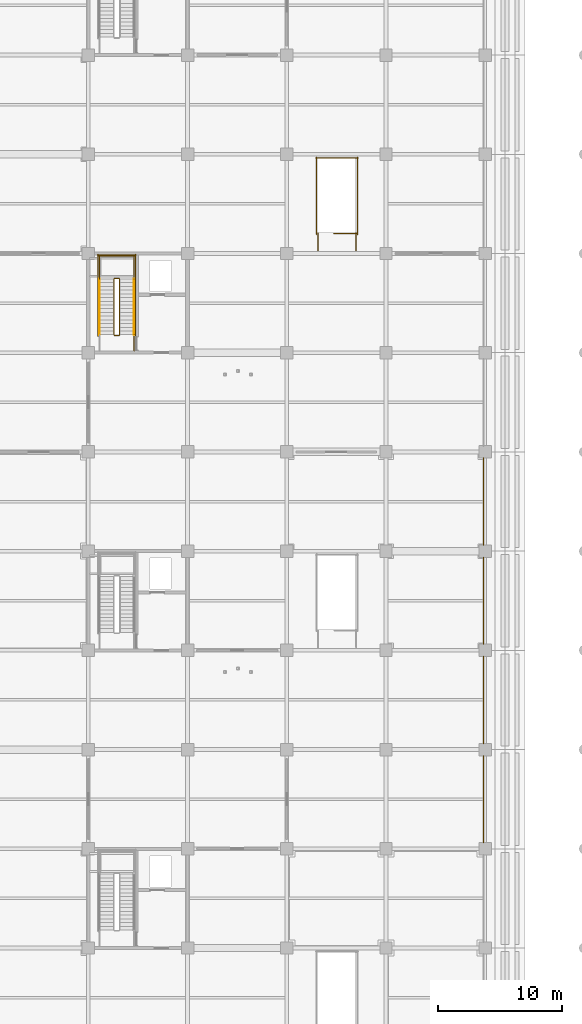
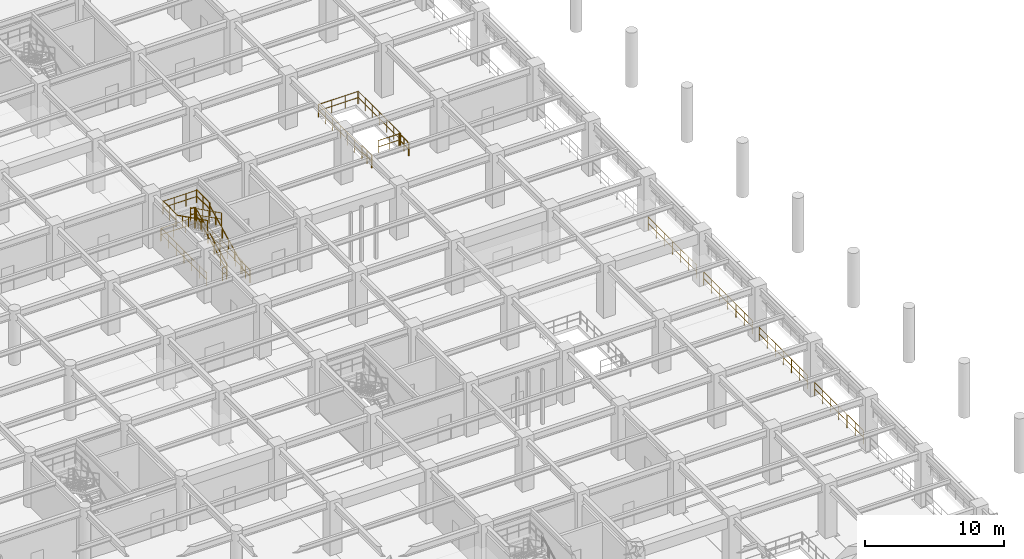
# One storey, part 104 of 117: 23 railings.
"""IFC4 building model written with IfcOpenShell, lengths in metres."""

from ifc_helpers import new_model, si_unit, direction, frame, origin, origin_2d, place, context, subcontext, project, spatial, circle, extrude, material, type_object, element, save


model = new_model("IFC4")

# Units and contexts
model_context = context("Model", 3, precision=1e-05, world=origin(), true_north=direction((0.0, 1.0)))
body_context = subcontext(model_context, "Body", "Model", "MODEL_VIEW")
ifc_project = project(units=[si_unit("LENGTHUNIT", "METRE"), si_unit("AREAUNIT", "SQUARE_METRE"), si_unit("VOLUMEUNIT", "CUBIC_METRE"), si_unit("PLANEANGLEUNIT", "RADIAN"), si_unit("MASSUNIT", "GRAM", prefix="KILO")], contexts=[model_context])

# Site, building, storey
site_placement = place(None, origin())
site = spatial("IfcSite", under=ifc_project, at=site_placement, CompositionType="ELEMENT")
building_placement = place(site_placement, origin())
building = spatial("IfcBuilding", under=site, at=building_placement, Name="Haebicheon Civic Stadium", CompositionType="ELEMENT")
storey_placement = place(building_placement, frame((0.0, 0.0, 4.800048828125)))
storey = spatial("IfcBuildingStorey", under=building, at=storey_placement, Name="L02", CompositionType="ELEMENT", Elevation=4.800048828125)

# Railings
ifc_material_1 = material(Name="Stainless steel 316 and laminated glass", Category="steel")
railing_type_1 = type_object("IfcRailingType", Name="RL-BAL-1200", PredefinedType="BALUSTRADE", material=ifc_material_1)
for number, where, name in (
    (1, (63.860107421875, 64.5, 0.0), "L02 concourse bowl-edge balustrade 003"),
    (2, (63.860107421875, 72.5, 0.0), "L02 concourse bowl-edge balustrade 004"),
    (3, (63.860107421875, 80.5, 0.0), "L02 concourse bowl-edge balustrade 005"),
    (4, (63.860107421875, 88.5, 0.0), "L02 concourse bowl-edge balustrade 006"),
):
    element("IfcRailing", number, at=place(storey_placement, frame(where)), inside=storey, type_object=railing_type_1, material=ifc_material_1, Name=name, PredefinedType="BALUSTRADE", context=body_context, shape_type="SweptSolid", body=[
        extrude(circle(Radius=0.02392578125, at=origin_2d()), frame((0.0, 0.0, 1.17578125), z_axis=(0.0, 1.0, 0.0), x_axis=(-1.0, 0.0, 0.0)), (0.0, 0.0, 1.0), 7.0),
        extrude(circle(Radius=0.02392578125, at=origin_2d()), frame((0.0, 0.0, 0.60009765625), z_axis=(0.0, 1.0, 0.0), x_axis=(-1.0, 0.0, 0.0)), (0.0, 0.0, 1.0), 7.0),
        extrude(circle(Radius=0.02099609375, at=origin_2d()), origin(), (0.0, 0.0, 1.0), 1.15185546875),
        extrude(circle(Radius=0.02099609375, at=origin_2d()), frame((0.0, 1.166748046875, 0.0)), (0.0, 0.0, 1.0), 1.15185546875),
        extrude(circle(Radius=0.02099609375, at=origin_2d()), frame((0.0, 2.333251953125, 0.0)), (0.0, 0.0, 1.0), 1.15185546875),
        extrude(circle(Radius=0.02099609375, at=origin_2d()), frame((0.0, 3.5, 0.0)), (0.0, 0.0, 1.0), 1.15185546875),
        extrude(circle(Radius=0.02099609375, at=origin_2d()), frame((0.0, 4.666748046875, 0.0)), (0.0, 0.0, 1.0), 1.15185546875),
        extrude(circle(Radius=0.02099609375, at=origin_2d()), frame((0.0, 5.833251953125, 0.0)), (0.0, 0.0, 1.0), 1.15185546875),
        extrude(circle(Radius=0.02099609375, at=origin_2d()), frame((0.0, 7.0, 0.0)), (0.0, 0.0, 1.0), 1.15185546875),
    ])
ifc_material_2 = material(Name="Galvanised painted steel SM355", Category="steel")
railing_type_2 = type_object("IfcRailingType", Name="RL-GRD-1150", PredefinedType="GUARDRAIL", material=ifc_material_2)
railing_1_placement = place(storey_placement, frame((34.510009765625, 105.449951171875, 0.14990234375)))
element("IfcRailing", 5, at=railing_1_placement, inside=storey, type_object=railing_type_2, material=ifc_material_2, Name="L02 ST-04 stair guard 1", PredefinedType="GUARDRAIL", context=body_context, shape_type="SweptSolid", body=[
    extrude(circle(Radius=0.02392578125, at=origin_2d()), frame((0.0, 0.0, 1.1259765625), z_axis=(0.0, 0.894427191, 0.4472135955), x_axis=(-1.0, 0.0, 0.0)), (0.0, 0.0, 1.0), 5.03125),
    extrude(circle(Radius=0.02392578125, at=origin_2d()), frame((0.0, 0.0, 0.574951171875), z_axis=(0.0, 0.894427191, 0.4472135955), x_axis=(-1.0, 0.0, 0.0)), (0.0, 0.0, 1.0), 5.03125),
    extrude(circle(Radius=0.02099609375, at=origin_2d()), origin(), (0.0, 0.0, 1.0), 1.101806640625),
    extrude(circle(Radius=0.02099609375, at=origin_2d()), frame((0.0, 0.89990234375, 0.449951171875)), (0.0, 0.0, 1.0), 1.101806640625),
    extrude(circle(Radius=0.02099609375, at=origin_2d()), frame((0.0, 1.800048828125, 0.89990234375)), (0.0, 0.0, 1.0), 1.101806640625),
    extrude(circle(Radius=0.02099609375, at=origin_2d()), frame((0.0, 2.699951171875, 1.35009765625)), (0.0, 0.0, 1.0), 1.101806640625),
    extrude(circle(Radius=0.02099609375, at=origin_2d()), frame((0.0, 3.60009765625, 1.800048828125)), (0.0, 0.0, 1.0), 1.101806640625),
    extrude(circle(Radius=0.02099609375, at=origin_2d()), frame((0.0, 4.5, 2.25)), (0.0, 0.0, 1.0), 1.101806640625),
])
railing_2_placement = place(storey_placement, frame((34.4599609375, 110.0, 2.39990234375)))
element("IfcRailing", 6, at=railing_2_placement, inside=storey, type_object=railing_type_2, material=ifc_material_2, Name="L02 ST-04 stair guard 2", PredefinedType="GUARDRAIL", context=body_context, shape_type="SweptSolid", body=[
    extrude(circle(Radius=0.02392578125, at=origin_2d()), frame((0.0, 0.0, 1.1259765625), z_axis=(-1.0, 0.0, 0.0), x_axis=(0.0, -1.0, 0.0)), (0.0, 0.0, 1.0), 0.33984375),
    extrude(circle(Radius=0.02392578125, at=origin_2d()), frame((0.0, 0.0, 0.574951171875), z_axis=(-1.0, 0.0, 0.0), x_axis=(0.0, -1.0, 0.0)), (0.0, 0.0, 1.0), 0.33984375),
    extrude(circle(Radius=0.02099609375, at=origin_2d()), origin(), (0.0, 0.0, 1.0), 1.101806640625),
    extrude(circle(Radius=0.02099609375, at=origin_2d()), frame((-0.33984375, 0.0, 0.0)), (0.0, 0.0, 1.0), 1.101806640625),
])
for number, where, name in (
    (7, (35.68994140625, 109.949951171875, 2.39990234375), "L02 ST-04 stair guard 3"),
    (8, (32.889892578125, 109.949951171875, 2.39990234375), "L02 ST-04 stair guard 4"),
):
    element("IfcRailing", number, at=place(storey_placement, frame(where)), inside=storey, type_object=railing_type_2, material=ifc_material_2, Name=name, PredefinedType="GUARDRAIL", context=body_context, shape_type="SweptSolid", body=[
        extrude(circle(Radius=0.02392578125, at=origin_2d()), frame((0.0, 0.0, 1.1259765625), z_axis=(0.0, 1.0, 0.0), x_axis=(-1.0, 0.0, 0.0)), (0.0, 0.0, 1.0), 1.89013671875),
        extrude(circle(Radius=0.02392578125, at=origin_2d()), frame((0.0, 0.0, 0.574951171875), z_axis=(0.0, 1.0, 0.0), x_axis=(-1.0, 0.0, 0.0)), (0.0, 0.0, 1.0), 1.89013671875),
        extrude(circle(Radius=0.02099609375, at=origin_2d()), origin(), (0.0, 0.0, 1.0), 1.101806640625),
        extrude(circle(Radius=0.02099609375, at=origin_2d()), frame((0.0, 0.945068359375, 0.0)), (0.0, 0.0, 1.0), 1.101806640625),
        extrude(circle(Radius=0.02099609375, at=origin_2d()), frame((0.0, 1.89013671875, 0.0)), (0.0, 0.0, 1.0), 1.101806640625),
    ])
railing_3_placement = place(storey_placement, frame((35.739990234375, 111.7900390625, 2.39990234375)))
element("IfcRailing", 9, at=railing_3_placement, inside=storey, type_object=railing_type_2, material=ifc_material_2, Name="L02 ST-04 stair guard 5", PredefinedType="GUARDRAIL", context=body_context, shape_type="SweptSolid", body=[
    extrude(circle(Radius=0.02392578125, at=origin_2d()), frame((0.0, 0.0, 1.1259765625), z_axis=(-1.0, 0.0, 0.0), x_axis=(0.0, -1.0, 0.0)), (0.0, 0.0, 1.0), 2.89990234375),
    extrude(circle(Radius=0.02392578125, at=origin_2d()), frame((0.0, 0.0, 0.574951171875), z_axis=(-1.0, 0.0, 0.0), x_axis=(0.0, -1.0, 0.0)), (0.0, 0.0, 1.0), 2.89990234375),
    extrude(circle(Radius=0.02099609375, at=origin_2d()), origin(), (0.0, 0.0, 1.0), 1.101806640625),
    extrude(circle(Radius=0.02099609375, at=origin_2d()), frame((-0.966552734375, 0.0, 0.0)), (0.0, 0.0, 1.0), 1.101806640625),
    extrude(circle(Radius=0.02099609375, at=origin_2d()), frame((-1.933349609375, 0.0, 0.0)), (0.0, 0.0, 1.0), 1.101806640625),
    extrude(circle(Radius=0.02099609375, at=origin_2d()), frame((-2.89990234375, 0.0, 0.0)), (0.0, 0.0, 1.0), 1.101806640625),
])
railing_4_placement = place(storey_placement, frame((34.070068359375, 109.949951171875, 2.550048828125)))
element("IfcRailing", 10, at=railing_4_placement, inside=storey, type_object=railing_type_2, material=ifc_material_2, Name="L02 ST-04 stair guard 6", PredefinedType="GUARDRAIL", context=body_context, shape_type="SweptSolid", body=[
    extrude(circle(Radius=0.02392578125, at=origin_2d()), frame((0.0, 0.0, 1.1259765625), z_axis=(0.0, -0.894427191, 0.4472135955), x_axis=(1.0, 0.0, 0.0)), (0.0, 0.0, 1.0), 5.03125),
    extrude(circle(Radius=0.02392578125, at=origin_2d()), frame((0.0, 0.0, 0.574951171875), z_axis=(0.0, -0.894427191, 0.4472135955), x_axis=(1.0, 0.0, 0.0)), (0.0, 0.0, 1.0), 5.03125),
    extrude(circle(Radius=0.02099609375, at=origin_2d()), origin(), (0.0, 0.0, 1.0), 1.101806640625),
    extrude(circle(Radius=0.02099609375, at=origin_2d()), frame((0.0, -0.89990234375, 0.449951171875)), (0.0, 0.0, 1.0), 1.101806640625),
    extrude(circle(Radius=0.02099609375, at=origin_2d()), frame((0.0, -1.800048828125, 0.89990234375)), (0.0, 0.0, 1.0), 1.101806640625),
    extrude(circle(Radius=0.02099609375, at=origin_2d()), frame((0.0, -2.699951171875, 1.35009765625)), (0.0, 0.0, 1.0), 1.101806640625),
    extrude(circle(Radius=0.02099609375, at=origin_2d()), frame((0.0, -3.60009765625, 1.800048828125)), (0.0, 0.0, 1.0), 1.101806640625),
    extrude(circle(Radius=0.02099609375, at=origin_2d()), frame((0.0, -4.5, 2.25)), (0.0, 0.0, 1.0), 1.101806640625),
])
railing_5_placement = place(storey_placement, frame((34.4599609375, 105.39990234375, 0.0)))
element("IfcRailing", 11, at=railing_5_placement, inside=storey, type_object=railing_type_2, material=ifc_material_2, Name="L02 ST-04 stair guard 7", PredefinedType="GUARDRAIL", context=body_context, shape_type="SweptSolid", body=[
    extrude(circle(Radius=0.02392578125, at=origin_2d()), frame((0.0, 0.0, 1.1259765625), z_axis=(-1.0, 0.0, 0.0), x_axis=(0.0, -1.0, 0.0)), (0.0, 0.0, 1.0), 0.33984375),
    extrude(circle(Radius=0.02392578125, at=origin_2d()), frame((0.0, 0.0, 0.574951171875), z_axis=(-1.0, 0.0, 0.0), x_axis=(0.0, -1.0, 0.0)), (0.0, 0.0, 1.0), 0.33984375),
    extrude(circle(Radius=0.02099609375, at=origin_2d()), origin(), (0.0, 0.0, 1.0), 1.101806640625),
    extrude(circle(Radius=0.02099609375, at=origin_2d()), frame((-0.33984375, 0.0, 0.0)), (0.0, 0.0, 1.0), 1.101806640625),
])
railing_6_placement = place(storey_placement, frame((35.68994140625, 104.159912109375, 0.0)))
element("IfcRailing", 12, at=railing_6_placement, inside=storey, type_object=railing_type_2, material=ifc_material_2, Name="L02 ST-04 stair guard 8", PredefinedType="GUARDRAIL", context=body_context, shape_type="SweptSolid", body=[
    extrude(circle(Radius=0.02392578125, at=origin_2d()), frame((0.0, 0.0, 1.1259765625), z_axis=(0.0, 1.0, 0.0), x_axis=(-1.0, 0.0, 0.0)), (0.0, 0.0, 1.0), 1.2900390625),
    extrude(circle(Radius=0.02392578125, at=origin_2d()), frame((0.0, 0.0, 0.574951171875), z_axis=(0.0, 1.0, 0.0), x_axis=(-1.0, 0.0, 0.0)), (0.0, 0.0, 1.0), 1.2900390625),
    extrude(circle(Radius=0.02099609375, at=origin_2d()), origin(), (0.0, 0.0, 1.0), 1.101806640625),
    extrude(circle(Radius=0.02099609375, at=origin_2d()), frame((0.0, 0.64501953125, 0.0)), (0.0, 0.0, 1.0), 1.101806640625),
    extrude(circle(Radius=0.02099609375, at=origin_2d()), frame((0.0, 1.2900390625, 0.0)), (0.0, 0.0, 1.0), 1.101806640625),
])
for number, where, name in (
    (13, (35.7900390625, 105.35009765625, 0.0), "L02 ST-04 stair guard 10"),
    (14, (32.7900390625, 105.35009765625, 0.0), "L02 ST-04 stair guard 11"),
):
    element("IfcRailing", number, at=place(storey_placement, frame(where)), inside=storey, type_object=railing_type_2, material=ifc_material_2, Name=name, PredefinedType="GUARDRAIL", context=body_context, shape_type="SweptSolid", body=[
        extrude(circle(Radius=0.02392578125, at=origin_2d()), frame((0.0, 0.0, 1.1259765625), z_axis=(0.0, 1.0, 0.0), x_axis=(-1.0, 0.0, 0.0)), (0.0, 0.0, 1.0), 6.58984375),
        extrude(circle(Radius=0.02392578125, at=origin_2d()), frame((0.0, 0.0, 0.574951171875), z_axis=(0.0, 1.0, 0.0), x_axis=(-1.0, 0.0, 0.0)), (0.0, 0.0, 1.0), 6.58984375),
        extrude(circle(Radius=0.02099609375, at=origin_2d()), origin(), (0.0, 0.0, 1.0), 1.101806640625),
        extrude(circle(Radius=0.02099609375, at=origin_2d()), frame((0.0, 1.098388671875, 0.0)), (0.0, 0.0, 1.0), 1.101806640625),
        extrude(circle(Radius=0.02099609375, at=origin_2d()), frame((0.0, 2.196533203125, 0.0)), (0.0, 0.0, 1.0), 1.101806640625),
        extrude(circle(Radius=0.02099609375, at=origin_2d()), frame((0.0, 3.294921875, 0.0)), (0.0, 0.0, 1.0), 1.101806640625),
        extrude(circle(Radius=0.02099609375, at=origin_2d()), frame((0.0, 4.393310546875, 0.0)), (0.0, 0.0, 1.0), 1.101806640625),
        extrude(circle(Radius=0.02099609375, at=origin_2d()), frame((0.0, 5.491455078125, 0.0)), (0.0, 0.0, 1.0), 1.101806640625),
        extrude(circle(Radius=0.02099609375, at=origin_2d()), frame((0.0, 6.58984375, 0.0)), (0.0, 0.0, 1.0), 1.101806640625),
    ])
railing_7_placement = place(storey_placement, frame((35.840087890625, 111.889892578125, 0.0)))
element("IfcRailing", 15, at=railing_7_placement, inside=storey, type_object=railing_type_2, material=ifc_material_2, Name="L02 ST-04 stair guard 12", PredefinedType="GUARDRAIL", context=body_context, shape_type="SweptSolid", body=[
    extrude(circle(Radius=0.02392578125, at=origin_2d()), frame((0.0, 0.0, 1.1259765625), z_axis=(-1.0, 0.0, 0.0), x_axis=(0.0, -1.0, 0.0)), (0.0, 0.0, 1.0), 3.10009765625),
    extrude(circle(Radius=0.02392578125, at=origin_2d()), frame((0.0, 0.0, 0.574951171875), z_axis=(-1.0, 0.0, 0.0), x_axis=(0.0, -1.0, 0.0)), (0.0, 0.0, 1.0), 3.10009765625),
    extrude(circle(Radius=0.02099609375, at=origin_2d()), origin(), (0.0, 0.0, 1.0), 1.101806640625),
    extrude(circle(Radius=0.02099609375, at=origin_2d()), frame((-1.033447265625, 0.0, 0.0)), (0.0, 0.0, 1.0), 1.101806640625),
    extrude(circle(Radius=0.02099609375, at=origin_2d()), frame((-2.066650390625, 0.0, 0.0)), (0.0, 0.0, 1.0), 1.101806640625),
    extrude(circle(Radius=0.02099609375, at=origin_2d()), frame((-3.10009765625, 0.0, 0.0)), (0.0, 0.0, 1.0), 1.101806640625),
])
railing_8_placement = place(storey_placement, frame((53.639892578125, 113.60009765625, 0.0)))
element("IfcRailing", 16, at=railing_8_placement, inside=storey, type_object=railing_type_2, material=ifc_material_2, Name="L02 VM-03 top well guard 1", PredefinedType="GUARDRAIL", context=body_context, shape_type="SweptSolid", body=[
    extrude(circle(Radius=0.02392578125, at=origin_2d()), frame((0.0, 0.0, 1.1259765625), z_axis=(-1.0, 0.0, 0.0), x_axis=(0.0, -1.0, 0.0)), (0.0, 0.0, 1.0), 1.81982421875),
    extrude(circle(Radius=0.02392578125, at=origin_2d()), frame((0.0, 0.0, 0.574951171875), z_axis=(-1.0, 0.0, 0.0), x_axis=(0.0, -1.0, 0.0)), (0.0, 0.0, 1.0), 1.81982421875),
    extrude(circle(Radius=0.02099609375, at=origin_2d()), origin(), (0.0, 0.0, 1.0), 1.101806640625),
    extrude(circle(Radius=0.02099609375, at=origin_2d()), frame((-0.909912109375, 0.0, 0.0)), (0.0, 0.0, 1.0), 1.101806640625),
    extrude(circle(Radius=0.02099609375, at=origin_2d()), frame((-1.81982421875, 0.0, 0.0)), (0.0, 0.0, 1.0), 1.101806640625),
])
for number, where, name in (
    (17, (53.68994140625, 113.550048828125, 0.0), "L02 VM-03 top well guard 2"),
    (18, (50.409912109375, 113.550048828125, 0.0), "L02 VM-03 top well guard 3"),
):
    element("IfcRailing", number, at=place(storey_placement, frame(where)), inside=storey, type_object=railing_type_2, material=ifc_material_2, Name=name, PredefinedType="GUARDRAIL", context=body_context, shape_type="SweptSolid", body=[
        extrude(circle(Radius=0.02392578125, at=origin_2d()), frame((0.0, 0.0, 1.1259765625), z_axis=(0.0, 1.0, 0.0), x_axis=(-1.0, 0.0, 0.0)), (0.0, 0.0, 1.0), 6.199951171875),
        extrude(circle(Radius=0.02392578125, at=origin_2d()), frame((0.0, 0.0, 0.574951171875), z_axis=(0.0, 1.0, 0.0), x_axis=(-1.0, 0.0, 0.0)), (0.0, 0.0, 1.0), 6.199951171875),
        extrude(circle(Radius=0.02099609375, at=origin_2d()), origin(), (0.0, 0.0, 1.0), 1.101806640625),
        extrude(circle(Radius=0.02099609375, at=origin_2d()), frame((0.0, 1.033203125, 0.0)), (0.0, 0.0, 1.0), 1.101806640625),
        extrude(circle(Radius=0.02099609375, at=origin_2d()), frame((0.0, 2.066650390625, 0.0)), (0.0, 0.0, 1.0), 1.101806640625),
        extrude(circle(Radius=0.02099609375, at=origin_2d()), frame((0.0, 3.10009765625, 0.0)), (0.0, 0.0, 1.0), 1.101806640625),
        extrude(circle(Radius=0.02099609375, at=origin_2d()), frame((0.0, 4.13330078125, 0.0)), (0.0, 0.0, 1.0), 1.101806640625),
        extrude(circle(Radius=0.02099609375, at=origin_2d()), frame((0.0, 5.16650390625, 0.0)), (0.0, 0.0, 1.0), 1.101806640625),
        extrude(circle(Radius=0.02099609375, at=origin_2d()), frame((0.0, 6.199951171875, 0.0)), (0.0, 0.0, 1.0), 1.101806640625),
    ])
railing_9_placement = place(storey_placement, frame((53.739990234375, 119.699951171875, 0.0)))
element("IfcRailing", 19, at=railing_9_placement, inside=storey, type_object=railing_type_2, material=ifc_material_2, Name="L02 VM-03 top well guard 4", PredefinedType="GUARDRAIL", context=body_context, shape_type="SweptSolid", body=[
    extrude(circle(Radius=0.02392578125, at=origin_2d()), frame((0.0, 0.0, 1.1259765625), z_axis=(-1.0, 0.0, 0.0), x_axis=(0.0, -1.0, 0.0)), (0.0, 0.0, 1.0), 3.3798828125),
    extrude(circle(Radius=0.02392578125, at=origin_2d()), frame((0.0, 0.0, 0.574951171875), z_axis=(-1.0, 0.0, 0.0), x_axis=(0.0, -1.0, 0.0)), (0.0, 0.0, 1.0), 3.3798828125),
    extrude(circle(Radius=0.02099609375, at=origin_2d()), origin(), (0.0, 0.0, 1.0), 1.101806640625),
    extrude(circle(Radius=0.02099609375, at=origin_2d()), frame((-1.126708984375, 0.0, 0.0)), (0.0, 0.0, 1.0), 1.101806640625),
    extrude(circle(Radius=0.02099609375, at=origin_2d()), frame((-2.253173828125, 0.0, 0.0)), (0.0, 0.0, 1.0), 1.101806640625),
    extrude(circle(Radius=0.02099609375, at=origin_2d()), frame((-3.3798828125, 0.0, 0.0)), (0.0, 0.0, 1.0), 1.101806640625),
])
for number, where, name in (
    (20, (53.590087890625, 112.25, 0.0), "L02 VM-03 top well guard 5"),
    (21, (50.510009765625, 112.25, 0.0), "L02 VM-03 top well guard 6"),
):
    element("IfcRailing", number, at=place(storey_placement, frame(where)), inside=storey, type_object=railing_type_2, material=ifc_material_2, Name=name, PredefinedType="GUARDRAIL", context=body_context, shape_type="SweptSolid", body=[
        extrude(circle(Radius=0.02392578125, at=origin_2d()), frame((0.0, 0.0, 1.1259765625), z_axis=(0.0, 1.0, 0.0), x_axis=(-1.0, 0.0, 0.0)), (0.0, 0.0, 1.0), 1.39990234375),
        extrude(circle(Radius=0.02392578125, at=origin_2d()), frame((0.0, 0.0, 0.574951171875), z_axis=(0.0, 1.0, 0.0), x_axis=(-1.0, 0.0, 0.0)), (0.0, 0.0, 1.0), 1.39990234375),
        extrude(circle(Radius=0.02099609375, at=origin_2d()), origin(), (0.0, 0.0, 1.0), 1.101806640625),
        extrude(circle(Radius=0.02099609375, at=origin_2d()), frame((0.0, 0.699951171875, 0.0)), (0.0, 0.0, 1.0), 1.101806640625),
        extrude(circle(Radius=0.02099609375, at=origin_2d()), frame((0.0, 1.39990234375, 0.0)), (0.0, 0.0, 1.0), 1.101806640625),
    ])
ifc_material_3 = material(Name="Stainless steel 316", Category="steel")
railing_type_3 = type_object("IfcRailingType", Name="RL-HND-900", PredefinedType="HANDRAIL", material=ifc_material_3)
railing_10_placement = place(storey_placement, frame((35.68994140625, 105.449951171875, 0.14990234375)))
element("IfcRailing", 22, at=railing_10_placement, inside=storey, type_object=railing_type_3, material=ifc_material_3, Name="L02 ST-04 stair handrail 1", PredefinedType="HANDRAIL", context=body_context, shape_type="SweptSolid", body=[
    extrude(circle(Radius=0.02392578125, at=origin_2d()), frame((0.0, 0.0, 0.8759765625), z_axis=(0.0, 0.894427191, 0.4472135955), x_axis=(-1.0, 0.0, 0.0)), (0.0, 0.0, 1.0), 5.03125),
    extrude(circle(Radius=0.02099609375, at=origin_2d()), origin(), (0.0, 0.0, 1.0), 0.851806640625),
    extrude(circle(Radius=0.02099609375, at=origin_2d()), frame((0.0, 0.89990234375, 0.449951171875)), (0.0, 0.0, 1.0), 0.851806640625),
    extrude(circle(Radius=0.02099609375, at=origin_2d()), frame((0.0, 1.800048828125, 0.89990234375)), (0.0, 0.0, 1.0), 0.851806640625),
    extrude(circle(Radius=0.02099609375, at=origin_2d()), frame((0.0, 2.699951171875, 1.35009765625)), (0.0, 0.0, 1.0), 0.851806640625),
    extrude(circle(Radius=0.02099609375, at=origin_2d()), frame((0.0, 3.60009765625, 1.800048828125)), (0.0, 0.0, 1.0), 0.851806640625),
    extrude(circle(Radius=0.02099609375, at=origin_2d()), frame((0.0, 4.5, 2.25)), (0.0, 0.0, 1.0), 0.851806640625),
])
railing_11_placement = place(storey_placement, frame((32.889892578125, 109.949951171875, 2.550048828125)))
element("IfcRailing", 23, at=railing_11_placement, inside=storey, type_object=railing_type_3, material=ifc_material_3, Name="L02 ST-04 stair handrail 2", PredefinedType="HANDRAIL", context=body_context, shape_type="SweptSolid", body=[
    extrude(circle(Radius=0.02392578125, at=origin_2d()), frame((0.0, 0.0, 0.8759765625), z_axis=(0.0, -0.894427191, 0.4472135955), x_axis=(1.0, 0.0, 0.0)), (0.0, 0.0, 1.0), 5.03125),
    extrude(circle(Radius=0.02099609375, at=origin_2d()), origin(), (0.0, 0.0, 1.0), 0.851806640625),
    extrude(circle(Radius=0.02099609375, at=origin_2d()), frame((0.0, -0.89990234375, 0.449951171875)), (0.0, 0.0, 1.0), 0.851806640625),
    extrude(circle(Radius=0.02099609375, at=origin_2d()), frame((0.0, -1.800048828125, 0.89990234375)), (0.0, 0.0, 1.0), 0.851806640625),
    extrude(circle(Radius=0.02099609375, at=origin_2d()), frame((0.0, -2.699951171875, 1.35009765625)), (0.0, 0.0, 1.0), 0.851806640625),
    extrude(circle(Radius=0.02099609375, at=origin_2d()), frame((0.0, -3.60009765625, 1.800048828125)), (0.0, 0.0, 1.0), 0.851806640625),
    extrude(circle(Radius=0.02099609375, at=origin_2d()), frame((0.0, -4.5, 2.25)), (0.0, 0.0, 1.0), 0.851806640625),
])

save(model, "model.ifc")
